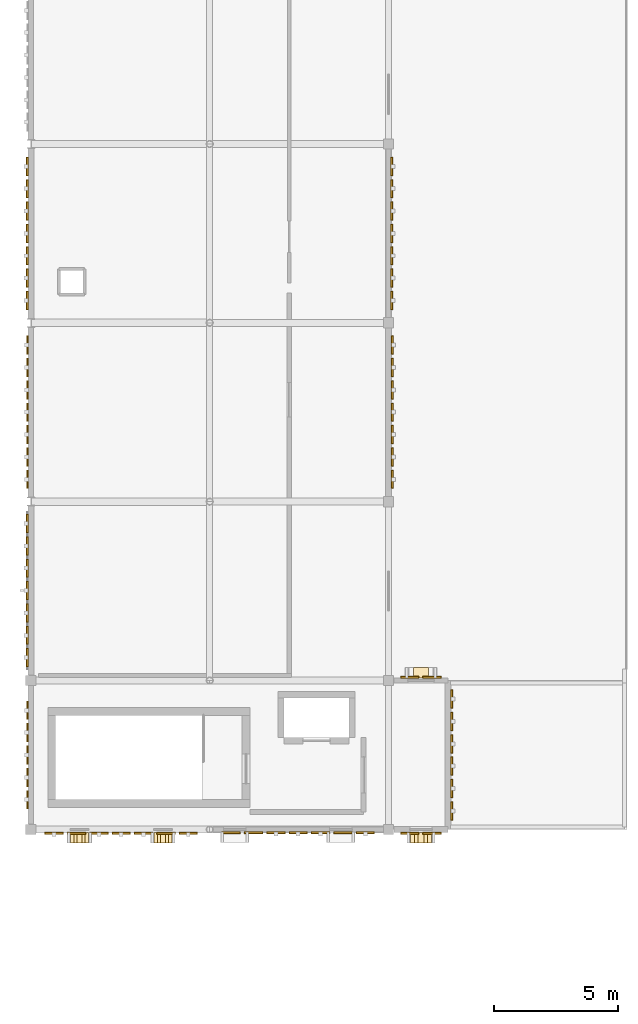
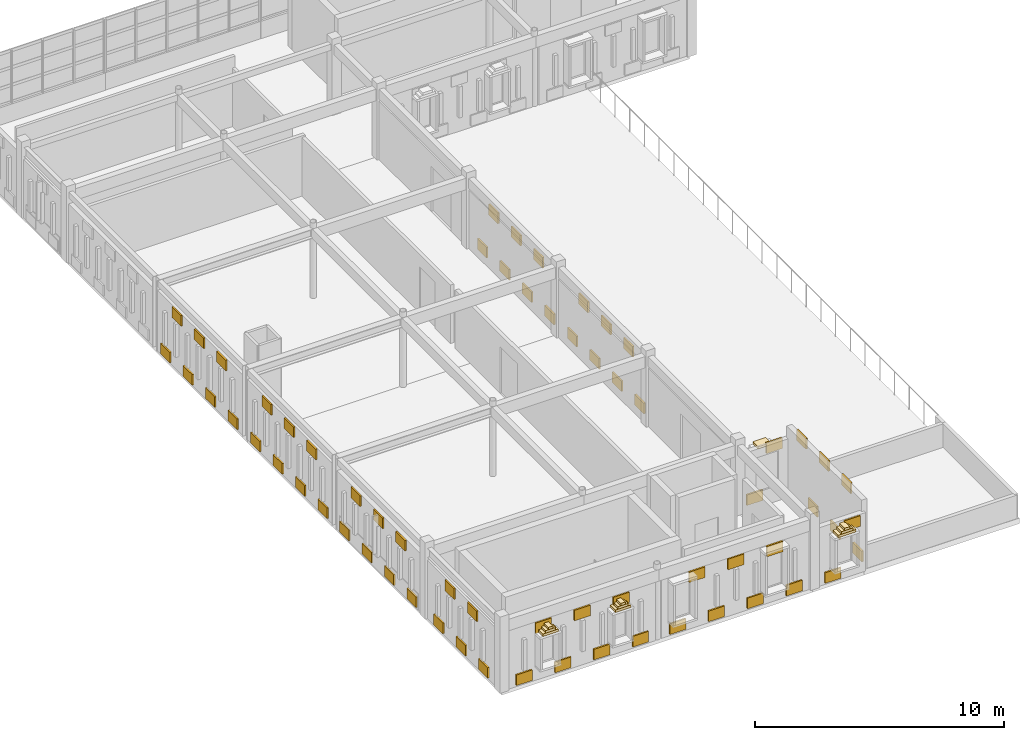
# One storey, part 43 of 46: 74 coverings.
"""IFC4 building model written with IfcOpenShell, lengths in metres."""

from ifc_helpers import new_model, si_unit, direction, frame, origin, origin_2d, place, context, subcontext, project, spatial, rectangle, extrude, material, layer, layer_set, type_object, element, save


model = new_model("IFC4")

# Units and contexts
model_context = context("Model", 3, precision=1e-05, world=origin(), true_north=direction((0.0, 1.0)))
body_context = subcontext(model_context, "Body", "Model", "MODEL_VIEW")
ifc_project = project(units=[si_unit("LENGTHUNIT", "METRE"), si_unit("AREAUNIT", "SQUARE_METRE"), si_unit("VOLUMEUNIT", "CUBIC_METRE"), si_unit("PLANEANGLEUNIT", "RADIAN"), si_unit("MASSUNIT", "GRAM", prefix="KILO")], contexts=[model_context])

# Site, building, storey
site_placement = place(None, origin())
site = spatial("IfcSite", under=ifc_project, at=site_placement, CompositionType="ELEMENT")
building_placement = place(site_placement, origin())
building = spatial("IfcBuilding", under=site, at=building_placement, Name="Nzembalo Square Collegiate School", CompositionType="ELEMENT")
storey_placement = place(building_placement, frame((0.0, 0.0, 17.340087890625)))
storey = spatial("IfcBuildingStorey", under=building, at=storey_placement, Name="L04", CompositionType="ELEMENT", Elevation=17.340087890625)

# Coverings
ifc_material_1 = material(Name="Glazed cobalt ceramic patterned tile")
ifc_layer_1 = layer(ifc_material_1, 0.074951171875, Name="Glazed cobalt ceramic patterned tile")
ifc_layer_set_1 = layer_set([ifc_layer_1], Name="Glazed cobalt ceramic patterned tile")
covering_type_1 = type_object("IfcCoveringType", Name="CL01", PredefinedType="CLADDING", material=ifc_layer_set_1)
for number, where, z_axis, x_axis, name in (
    (1, (9.336669921875, 44.25, 0.099853515625), (0.0, 0.0, 1.0), (1.0, 0.0, 0.0), "Patterned ceramic tile CL01-X0264-0-0"),
    (2, (10.23681640625, 44.25, 2.328857421875), (0.0, 0.0, 1.0), (1.0, 0.0, 0.0), "Patterned ceramic tile CL01-X0264-1-1"),
    (3, (11.13671875, 44.25, 0.099853515625), (0.0, 0.0, 1.0), (1.0, 0.0, 0.0), "Patterned ceramic tile CL01-X0264-2-0"),
    (4, (12.03662109375, 44.25, 2.328857421875), (0.0, 0.0, 1.0), (1.0, 0.0, 0.0), "Patterned ceramic tile CL01-X0264-3-1"),
    (5, (12.936767578125, 44.25, 0.099853515625), (0.0, 0.0, 1.0), (1.0, 0.0, 0.0), "Patterned ceramic tile CL01-X0264-4-0"),
    (6, (13.836669921875, 44.25, 2.328857421875), (0.0, 0.0, 1.0), (1.0, 0.0, 0.0), "Patterned ceramic tile CL01-X0264-5-1"),
    (7, (14.73681640625, 44.25, 0.099853515625), (0.0, 0.0, 1.0), (1.0, 0.0, 0.0), "Patterned ceramic tile CL01-X0264-6-0"),
    (8, (16.463134765625, 44.264892578125, 0.099853515625), (0.0, 0.0, 1.0), (1.0, 0.0, 0.0), "Patterned ceramic tile CL01-X0265-0-0"),
    (9, (17.36328125, 44.264892578125, 2.328857421875), (0.0, 0.0, 1.0), (1.0, 0.0, 0.0), "Patterned ceramic tile CL01-X0265-1-1"),
    (10, (18.26318359375, 44.264892578125, 0.099853515625), (0.0, 0.0, 1.0), (1.0, 0.0, 0.0), "Patterned ceramic tile CL01-X0265-2-0"),
    (11, (19.1630859375, 44.264892578125, 2.328857421875), (0.0, 0.0, 1.0), (1.0, 0.0, 0.0), "Patterned ceramic tile CL01-X0265-3-1"),
    (12, (20.063232421875, 44.264892578125, 0.099853515625), (0.0, 0.0, 1.0), (1.0, 0.0, 0.0), "Patterned ceramic tile CL01-X0265-4-0"),
    (13, (20.963134765625, 44.264892578125, 2.328857421875), (0.0, 0.0, 1.0), (1.0, 0.0, 0.0), "Patterned ceramic tile CL01-X0265-5-1"),
    (14, (21.86328125, 44.264892578125, 0.099853515625), (0.0, 0.0, 1.0), (1.0, 0.0, 0.0), "Patterned ceramic tile CL01-X0265-6-0"),
    (15, (23.656005859375, 44.25, 0.099853515625), (0.0, 0.0, 1.0), (1.0, 0.0, 0.0), "Patterned ceramic tile CL01-X0266-0-0"),
    (16, (24.555908203125, 44.25, 2.328857421875), (0.0, 0.0, 1.0), (1.0, 0.0, 0.0), "Patterned ceramic tile CL01-X0266-1-1"),
):
    element("IfcCovering", number, at=place(storey_placement, frame(where, z_axis=z_axis, x_axis=x_axis)), inside=storey, type_object=covering_type_1, Name=name, PredefinedType="CLADDING", context=body_context, shape_type="SweptSolid", body=[
        extrude(rectangle(XDim=0.739990234375, YDim=0.074951171875, at=origin_2d()), origin(), (0.0, 0.0, 1.0), 0.52001953125),
    ])
for number, where, z_axis, x_axis, name in (
    (17, (8.264892578125, 45.60009765625, 0.099853515625), (0.0, 0.0, 1.0), (1.0, 0.0, 0.0), "Patterned ceramic tile CL01-Y0267-0-0"),
    (18, (8.264892578125, 46.5, 2.328857421875), (0.0, 0.0, 1.0), (1.0, 0.0, 0.0), "Patterned ceramic tile CL01-Y0267-1-1"),
    (19, (8.264892578125, 47.39990234375, 0.099853515625), (0.0, 0.0, 1.0), (1.0, 0.0, 0.0), "Patterned ceramic tile CL01-Y0267-2-0"),
    (20, (8.264892578125, 48.300048828125, 2.328857421875), (0.0, 0.0, 1.0), (1.0, 0.0, 0.0), "Patterned ceramic tile CL01-Y0267-3-1"),
    (21, (8.264892578125, 49.199951171875, 0.099853515625), (0.0, 0.0, 1.0), (1.0, 0.0, 0.0), "Patterned ceramic tile CL01-Y0267-4-0"),
    (22, (8.25, 51.320068359375, 0.099853515625), (0.0, 0.0, 1.0), (1.0, 0.0, 0.0), "Patterned ceramic tile CL01-Y0268-0-0"),
    (23, (8.25, 52.219970703125, 2.328857421875), (0.0, 0.0, 1.0), (1.0, 0.0, 0.0), "Patterned ceramic tile CL01-Y0268-1-1"),
    (24, (8.25, 53.1201171875, 0.099853515625), (0.0, 0.0, 1.0), (1.0, 0.0, 0.0), "Patterned ceramic tile CL01-Y0268-2-0"),
    (25, (8.25, 54.02001953125, 2.328857421875), (0.0, 0.0, 1.0), (1.0, 0.0, 0.0), "Patterned ceramic tile CL01-Y0268-3-1"),
    (26, (8.25, 54.919921875, 0.099853515625), (0.0, 0.0, 1.0), (1.0, 0.0, 0.0), "Patterned ceramic tile CL01-Y0268-4-0"),
    (27, (8.25, 55.820068359375, 2.328857421875), (0.0, 0.0, 1.0), (1.0, 0.0, 0.0), "Patterned ceramic tile CL01-Y0268-5-1"),
    (28, (8.25, 56.719970703125, 0.099853515625), (0.0, 0.0, 1.0), (1.0, 0.0, 0.0), "Patterned ceramic tile CL01-Y0268-6-0"),
    (29, (8.264892578125, 58.5, 0.099853515625), (0.0, 0.0, 1.0), (1.0, 0.0, 0.0), "Patterned ceramic tile CL01-Y0269-0-0"),
    (30, (8.264892578125, 59.39990234375, 2.43896484375), (0.0, 0.0, 1.0), (1.0, 0.0, 0.0), "Patterned ceramic tile CL01-Y0269-1-1"),
    (31, (8.264892578125, 60.300048828125, 0.099853515625), (0.0, 0.0, 1.0), (1.0, 0.0, 0.0), "Patterned ceramic tile CL01-Y0269-2-0"),
    (32, (8.264892578125, 61.199951171875, 2.43896484375), (0.0, 0.0, 1.0), (1.0, 0.0, 0.0), "Patterned ceramic tile CL01-Y0269-3-1"),
    (33, (8.264892578125, 62.10009765625, 0.099853515625), (0.0, 0.0, 1.0), (1.0, 0.0, 0.0), "Patterned ceramic tile CL01-Y0269-4-0"),
    (34, (8.264892578125, 63.0, 2.43896484375), (0.0, 0.0, 1.0), (1.0, 0.0, 0.0), "Patterned ceramic tile CL01-Y0269-5-1"),
    (35, (8.264892578125, 63.89990234375, 0.099853515625), (0.0, 0.0, 1.0), (1.0, 0.0, 0.0), "Patterned ceramic tile CL01-Y0269-6-0"),
    (36, (8.25, 65.699951171875, 0.099853515625), (0.0, 0.0, 1.0), (1.0, 0.0, 0.0), "Patterned ceramic tile CL01-Y0270-0-0"),
    (37, (8.25, 66.60009765625, 2.43896484375), (0.0, 0.0, 1.0), (1.0, 0.0, 0.0), "Patterned ceramic tile CL01-Y0270-1-1"),
    (38, (8.25, 67.5, 0.099853515625), (0.0, 0.0, 1.0), (1.0, 0.0, 0.0), "Patterned ceramic tile CL01-Y0270-2-0"),
    (39, (8.25, 68.39990234375, 2.43896484375), (0.0, 0.0, 1.0), (1.0, 0.0, 0.0), "Patterned ceramic tile CL01-Y0270-3-1"),
    (40, (8.25, 69.300048828125, 0.099853515625), (0.0, 0.0, 1.0), (1.0, 0.0, 0.0), "Patterned ceramic tile CL01-Y0270-4-0"),
    (41, (8.25, 70.199951171875, 2.43896484375), (0.0, 0.0, 1.0), (1.0, 0.0, 0.0), "Patterned ceramic tile CL01-Y0270-5-1"),
    (42, (8.25, 71.10009765625, 0.099853515625), (0.0, 0.0, 1.0), (1.0, 0.0, 0.0), "Patterned ceramic tile CL01-Y0270-6-0"),
    (43, (22.949951171875, 58.5, 0.099853515625), (0.0, 0.0, 1.0), (1.0, 0.0, 0.0), "Patterned ceramic tile CL01-Y0278-0-0"),
    (44, (22.949951171875, 59.39990234375, 2.328857421875), (0.0, 0.0, 1.0), (1.0, 0.0, 0.0), "Patterned ceramic tile CL01-Y0278-1-1"),
    (45, (22.949951171875, 60.300048828125, 0.099853515625), (0.0, 0.0, 1.0), (1.0, 0.0, 0.0), "Patterned ceramic tile CL01-Y0278-2-0"),
    (46, (22.949951171875, 61.199951171875, 2.328857421875), (0.0, 0.0, 1.0), (1.0, 0.0, 0.0), "Patterned ceramic tile CL01-Y0278-3-1"),
    (47, (22.949951171875, 62.10009765625, 0.099853515625), (0.0, 0.0, 1.0), (1.0, 0.0, 0.0), "Patterned ceramic tile CL01-Y0278-4-0"),
    (48, (22.949951171875, 63.0, 2.328857421875), (0.0, 0.0, 1.0), (1.0, 0.0, 0.0), "Patterned ceramic tile CL01-Y0278-5-1"),
    (49, (22.949951171875, 63.89990234375, 0.099853515625), (0.0, 0.0, 1.0), (1.0, 0.0, 0.0), "Patterned ceramic tile CL01-Y0278-6-0"),
    (50, (22.93505859375, 65.699951171875, 0.099853515625), (0.0, 0.0, 1.0), (1.0, 0.0, 0.0), "Patterned ceramic tile CL01-Y0279-0-0"),
    (51, (22.93505859375, 66.60009765625, 2.328857421875), (0.0, 0.0, 1.0), (1.0, 0.0, 0.0), "Patterned ceramic tile CL01-Y0279-1-1"),
    (52, (22.93505859375, 67.5, 0.099853515625), (0.0, 0.0, 1.0), (1.0, 0.0, 0.0), "Patterned ceramic tile CL01-Y0279-2-0"),
    (53, (22.93505859375, 68.39990234375, 2.328857421875), (0.0, 0.0, 1.0), (1.0, 0.0, 0.0), "Patterned ceramic tile CL01-Y0279-3-1"),
    (54, (22.93505859375, 69.300048828125, 0.099853515625), (0.0, 0.0, 1.0), (1.0, 0.0, 0.0), "Patterned ceramic tile CL01-Y0279-4-0"),
    (55, (22.93505859375, 70.199951171875, 2.328857421875), (0.0, 0.0, 1.0), (1.0, 0.0, 0.0), "Patterned ceramic tile CL01-Y0279-5-1"),
    (56, (22.93505859375, 71.10009765625, 0.099853515625), (0.0, 0.0, 1.0), (1.0, 0.0, 0.0), "Patterned ceramic tile CL01-Y0279-6-0"),
):
    element("IfcCovering", number, at=place(storey_placement, frame(where, z_axis=z_axis, x_axis=x_axis)), inside=storey, type_object=covering_type_1, Name=name, PredefinedType="CLADDING", context=body_context, shape_type="SweptSolid", body=[
        extrude(rectangle(XDim=0.074951171875, YDim=0.739990234375, at=origin_2d()), origin(), (0.0, 0.0, 1.0), 0.52001953125),
    ])
for number, where, z_axis, x_axis, name in (
    (57, (23.656005859375, 50.534912109375, 0.099853515625), (0.0, 0.0, 1.0), (1.0, 0.0, 0.0), "Patterned ceramic tile CL01-X0281-0-0"),
    (58, (24.555908203125, 50.534912109375, 2.328857421875), (0.0, 0.0, 1.0), (1.0, 0.0, 0.0), "Patterned ceramic tile CL01-X0281-1-1"),
):
    element("IfcCovering", number, at=place(storey_placement, frame(where, z_axis=z_axis, x_axis=x_axis)), inside=storey, type_object=covering_type_1, Name=name, PredefinedType="CLADDING", context=body_context, shape_type="SweptSolid", body=[
        extrude(rectangle(XDim=0.739990234375, YDim=0.074951171875, at=origin_2d()), origin(), (0.0, 0.0, 1.0), 0.52001953125),
    ])
for number, where, z_axis, x_axis, name in (
    (59, (25.35009765625, 45.14990234375, 0.099853515625), (0.0, 0.0, 1.0), (1.0, 0.0, 0.0), "Patterned ceramic tile CL01-Y0282-0-0"),
    (60, (25.35009765625, 46.050048828125, 2.893798828125), (0.0, 0.0, 1.0), (1.0, 0.0, 0.0), "Patterned ceramic tile CL01-Y0282-1-1"),
    (61, (25.35009765625, 46.949951171875, 0.099853515625), (0.0, 0.0, 1.0), (1.0, 0.0, 0.0), "Patterned ceramic tile CL01-Y0282-2-0"),
    (62, (25.35009765625, 47.85009765625, 2.893798828125), (0.0, 0.0, 1.0), (1.0, 0.0, 0.0), "Patterned ceramic tile CL01-Y0282-3-1"),
    (63, (25.35009765625, 48.75, 0.099853515625), (0.0, 0.0, 1.0), (1.0, 0.0, 0.0), "Patterned ceramic tile CL01-Y0282-4-0"),
    (64, (25.35009765625, 49.64990234375, 2.893798828125), (0.0, 0.0, 1.0), (1.0, 0.0, 0.0), "Patterned ceramic tile CL01-Y0282-5-1"),
):
    element("IfcCovering", number, at=place(storey_placement, frame(where, z_axis=z_axis, x_axis=x_axis)), inside=storey, type_object=covering_type_1, Name=name, PredefinedType="CLADDING", context=body_context, shape_type="SweptSolid", body=[
        extrude(rectangle(XDim=0.074951171875, YDim=0.739990234375, at=origin_2d()), origin(), (0.0, 0.0, 1.0), 0.52001953125),
    ])
ifc_material_2 = material(Name="Glazed celadon ceramic window frame")
ifc_layer_2 = layer(ifc_material_2, 0.419921875, Name="Glazed celadon ceramic window frame")
ifc_layer_set_2 = layer_set([ifc_layer_2], Name="Glazed celadon ceramic window frame")
covering_type_2 = type_object("IfcCoveringType", Name="WF01", PredefinedType="CLADDING", material=ifc_layer_set_2)
covering_1_placement = place(storey_placement, frame((10.35693359375, 44.072509765625, 2.35986328125), z_axis=(0.0, 0.0, 1.0), x_axis=(1.0, 0.0, 0.0)))
element("IfcCovering", 65, at=covering_1_placement, inside=storey, type_object=covering_type_2, Name="Pointed lancet gable WF01-0966-1", PredefinedType="CLADDING", context=body_context, shape_type="SweptSolid", body=[
    extrude(rectangle(XDim=0.721923828125, YDim=0.419921875, at=origin_2d()), origin(), (0.0, 0.0, 1.0), 0.1201171875),
])
covering_2_placement = place(storey_placement, frame((10.35693359375, 44.072509765625, 2.479736328125), z_axis=(0.0, 0.0, 1.0), x_axis=(1.0, 0.0, 0.0)))
element("IfcCovering", 66, at=covering_2_placement, inside=storey, type_object=covering_type_2, Name="Pointed lancet gable WF01-0966-2", PredefinedType="CLADDING", context=body_context, shape_type="SweptSolid", body=[
    extrude(rectangle(XDim=0.4560546875, YDim=0.419921875, at=origin_2d()), origin(), (0.0, 0.0, 1.0), 0.1201171875),
])
covering_3_placement = place(storey_placement, frame((10.35693359375, 44.072509765625, 2.599853515625), z_axis=(0.0, 0.0, 1.0), x_axis=(1.0, 0.0, 0.0)))
element("IfcCovering", 67, at=covering_3_placement, inside=storey, type_object=covering_type_2, Name="Pointed lancet gable WF01-0966-3", PredefinedType="CLADDING", context=body_context, shape_type="SweptSolid", body=[
    extrude(rectangle(XDim=0.208984375, YDim=0.419921875, at=origin_2d()), origin(), (0.0, 0.0, 1.0), 0.1201171875),
])
covering_4_placement = place(storey_placement, frame((13.716552734375, 44.072509765625, 2.35986328125), z_axis=(0.0, 0.0, 1.0), x_axis=(1.0, 0.0, 0.0)))
element("IfcCovering", 68, at=covering_4_placement, inside=storey, type_object=covering_type_2, Name="Pointed lancet gable WF01-0967-1", PredefinedType="CLADDING", context=body_context, shape_type="SweptSolid", body=[
    extrude(rectangle(XDim=0.721923828125, YDim=0.419921875, at=origin_2d()), origin(), (0.0, 0.0, 1.0), 0.1201171875),
])
covering_5_placement = place(storey_placement, frame((13.716552734375, 44.072509765625, 2.479736328125), z_axis=(0.0, 0.0, 1.0), x_axis=(1.0, 0.0, 0.0)))
element("IfcCovering", 69, at=covering_5_placement, inside=storey, type_object=covering_type_2, Name="Pointed lancet gable WF01-0967-2", PredefinedType="CLADDING", context=body_context, shape_type="SweptSolid", body=[
    extrude(rectangle(XDim=0.4560546875, YDim=0.419921875, at=origin_2d()), origin(), (0.0, 0.0, 1.0), 0.1201171875),
])
covering_6_placement = place(storey_placement, frame((13.716552734375, 44.072509765625, 2.599853515625), z_axis=(0.0, 0.0, 1.0), x_axis=(1.0, 0.0, 0.0)))
element("IfcCovering", 70, at=covering_6_placement, inside=storey, type_object=covering_type_2, Name="Pointed lancet gable WF01-0967-3", PredefinedType="CLADDING", context=body_context, shape_type="SweptSolid", body=[
    extrude(rectangle(XDim=0.208984375, YDim=0.419921875, at=origin_2d()), origin(), (0.0, 0.0, 1.0), 0.1201171875),
])
covering_7_placement = place(storey_placement, frame((24.10595703125, 44.072509765625, 2.409912109375), z_axis=(0.0, 0.0, 1.0), x_axis=(1.0, 0.0, 0.0)))
element("IfcCovering", 71, at=covering_7_placement, inside=storey, type_object=covering_type_2, Name="Pointed lancet gable WF01-0971-1", PredefinedType="CLADDING", context=body_context, shape_type="SweptSolid", body=[
    extrude(rectangle(XDim=0.8359375, YDim=0.419921875, at=origin_2d()), origin(), (0.0, 0.0, 1.0), 0.1201171875),
])
covering_8_placement = place(storey_placement, frame((24.10595703125, 44.072509765625, 2.52978515625), z_axis=(0.0, 0.0, 1.0), x_axis=(1.0, 0.0, 0.0)))
element("IfcCovering", 72, at=covering_8_placement, inside=storey, type_object=covering_type_2, Name="Pointed lancet gable WF01-0971-2", PredefinedType="CLADDING", context=body_context, shape_type="SweptSolid", body=[
    extrude(rectangle(XDim=0.528076171875, YDim=0.419921875, at=origin_2d()), origin(), (0.0, 0.0, 1.0), 0.1201171875),
])
covering_9_placement = place(storey_placement, frame((24.10595703125, 44.072509765625, 2.64990234375), z_axis=(0.0, 0.0, 1.0), x_axis=(1.0, 0.0, 0.0)))
element("IfcCovering", 73, at=covering_9_placement, inside=storey, type_object=covering_type_2, Name="Pointed lancet gable WF01-0971-3", PredefinedType="CLADDING", context=body_context, shape_type="SweptSolid", body=[
    extrude(rectangle(XDim=0.241943359375, YDim=0.419921875, at=origin_2d()), origin(), (0.0, 0.0, 1.0), 0.1201171875),
])
covering_10_placement = place(storey_placement, frame((24.10595703125, 50.71240234375, 2.679931640625), z_axis=(0.0, 0.0, 1.0), x_axis=(1.0, 0.0, 0.0)))
element("IfcCovering", 74, at=covering_10_placement, inside=storey, type_object=covering_type_2, Name="Pointed lancet gable WF01-1049-2", PredefinedType="CLADDING", context=body_context, shape_type="SweptSolid", body=[
    extrude(rectangle(XDim=0.60009765625, YDim=0.419921875, at=origin_2d()), origin(), (0.0, 0.0, 1.0), 0.1201171875),
])

save(model, "model.ifc")
